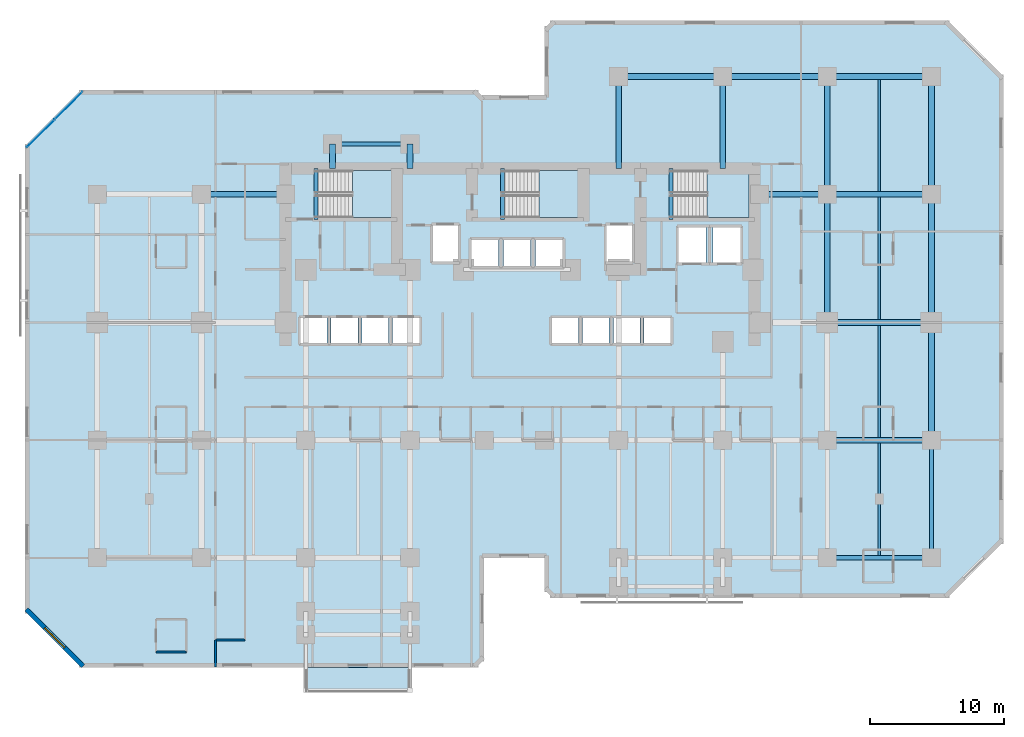
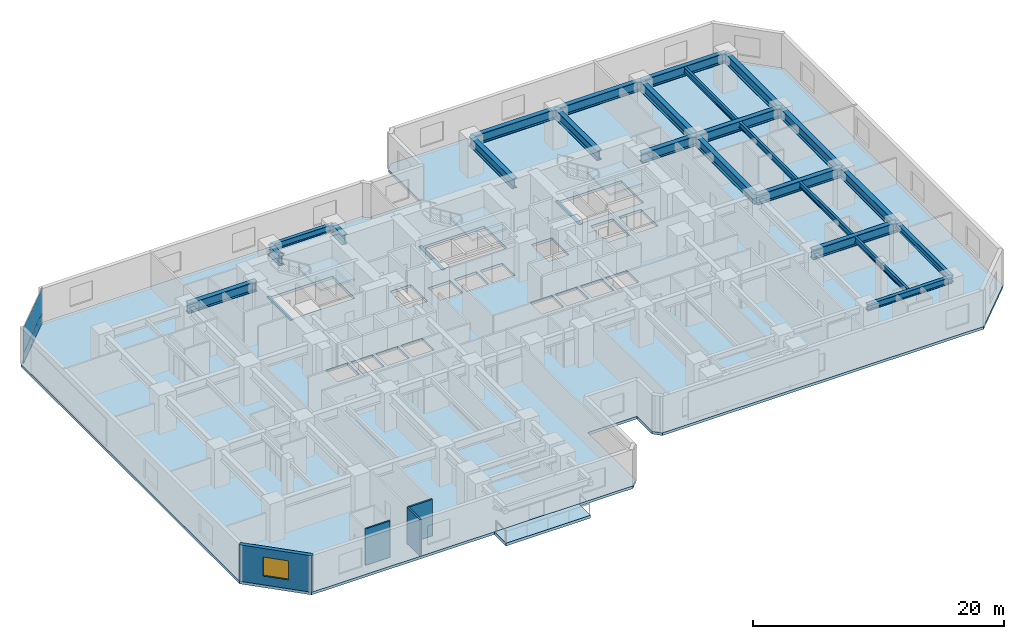
# One storey, part 4 of 12: 27 beams, 5 slabs, 4 plates, 4 walls, 1 window, 1 opening, 4 elements without a shape of their own.
"""IFC4 building model written with IfcOpenShell, lengths in metres."""

from ifc_helpers import new_model, si_unit, direction, frame, frame_2d, origin, origin_2d, place, context, subcontext, project, spatial, polyline, rectangle, i_section, outline, extrude, material, layer, layer_set, material_profile, profile_set, type_object, element, fill, aggregate, save


model = new_model("IFC4")

# Units and contexts
model_context = context("Model", 3, precision=1e-05, world=origin(), true_north=direction((0.0, 1.0)))
body_context = subcontext(model_context, "Body", "Model", "MODEL_VIEW")
ifc_project = project(units=[si_unit("LENGTHUNIT", "METRE"), si_unit("AREAUNIT", "SQUARE_METRE"), si_unit("VOLUMEUNIT", "CUBIC_METRE"), si_unit("PLANEANGLEUNIT", "RADIAN"), si_unit("MASSUNIT", "GRAM", prefix="KILO")], contexts=[model_context])

# Site, building, storey
site_placement = place(None, origin())
site = spatial("IfcSite", under=ifc_project, at=site_placement, CompositionType="ELEMENT")
building_placement = place(site_placement, origin())
building = spatial("IfcBuilding", under=site, at=building_placement, Name="Kestravale Grand Hotel", CompositionType="ELEMENT")
storey_placement = place(building_placement, frame((0.0, 0.0, 41.199951171875)))
storey = spatial("IfcBuildingStorey", under=building, at=storey_placement, Name="L09", CompositionType="ELEMENT", Elevation=41.199951171875)

# Beams
ifc_material_1 = material(Name="Steel ASTM A992 Grade 50", Category="steel")
ifc_material_profile_1 = material_profile(ifc_material_1, i_section(OverallWidth=0.2099609375, OverallDepth=0.535888671875, WebThickness=0.010986328125, FlangeThickness=0.017333984375, FilletRadius=0.017578125, at=origin_2d()))
ifc_profile_set_1 = profile_set([ifc_material_profile_1], Name="Steel ASTM A992 Grade 50")
beam_type_1 = type_object("IfcBeamType", Name="B-FLR-JST21", PredefinedType="JOIST", material=ifc_profile_set_1)
beam_1_placement = place(storey_placement, frame((66.300048828125, 11.362548828125, 3.27197265625), z_axis=(0.0, 1.0, 0.0), x_axis=(-1.0, 0.0, 0.0)))
element("IfcBeam", 1, at=beam_1_placement, inside=storey, type_object=beam_type_1, Name="L09 floor joist 10-11/C-D #1", PredefinedType="JOIST", context=body_context, shape_type="SweptSolid", body=[
    extrude(i_section(OverallWidth=0.2099609375, OverallDepth=0.535888671875, WebThickness=0.010986328125, FlangeThickness=0.017333984375, FilletRadius=0.017578125, at=origin_2d()), origin(), (0.0, 0.0, 1.0), 8.425537109375),
])
beam_2_placement = place(storey_placement, frame((66.300048828125, 20.2119140625, 3.27197265625), z_axis=(0.0, 1.0, 0.0), x_axis=(-1.0, 0.0, 0.0)))
element("IfcBeam", 2, at=beam_2_placement, inside=storey, type_object=beam_type_1, Name="L09 floor joist 10-11/D-E #1", PredefinedType="JOIST", context=body_context, shape_type="SweptSolid", body=[
    extrude(i_section(OverallWidth=0.2099609375, OverallDepth=0.535888671875, WebThickness=0.010986328125, FlangeThickness=0.017333984375, FilletRadius=0.017578125, at=origin_2d()), origin(), (0.0, 0.0, 1.0), 8.3759765625),
])
beam_3_placement = place(storey_placement, frame((66.300048828125, 29.011962890625, 3.27197265625), z_axis=(0.0, 1.0, 0.0), x_axis=(-1.0, 0.0, 0.0)))
element("IfcBeam", 3, at=beam_3_placement, inside=storey, type_object=beam_type_1, Name="L09 floor joist 10-11/E-F #1", PredefinedType="JOIST", context=body_context, shape_type="SweptSolid", body=[
    extrude(i_section(OverallWidth=0.2099609375, OverallDepth=0.535888671875, WebThickness=0.010986328125, FlangeThickness=0.017333984375, FilletRadius=0.017578125, at=origin_2d()), origin(), (0.0, 0.0, 1.0), 9.176025390625),
])
beam_4_placement = place(storey_placement, frame((66.300048828125, 38.612060546875, 3.27197265625), z_axis=(0.0, 1.0, 0.0), x_axis=(-1.0, 0.0, 0.0)))
element("IfcBeam", 4, at=beam_4_placement, inside=storey, type_object=beam_type_1, Name="L09 floor joist 10-11/F-G #1", PredefinedType="JOIST", context=body_context, shape_type="SweptSolid", body=[
    extrude(i_section(OverallWidth=0.2099609375, OverallDepth=0.535888671875, WebThickness=0.010986328125, FlangeThickness=0.017333984375, FilletRadius=0.017578125, at=origin_2d()), origin(), (0.0, 0.0, 1.0), 8.3759765625),
])
ifc_material_2 = material(Name="Concrete f'c 45 MPa", Category="concrete")
ifc_material_profile_2 = material_profile(ifc_material_2, rectangle(XDim=0.300048828125, YDim=0.39990234375, at=origin_2d()))
ifc_profile_set_2 = profile_set([ifc_material_profile_2], Name="Concrete f'c 45 MPa")
beam_type_2 = type_object("IfcBeamType", Name="B-FLR-LNT400", PredefinedType="LINTEL", material=ifc_profile_set_2)
for number, where, z_axis, x_axis, name in (
    (5, (24.159912109375, 36.52001953125, -0.199951171875), (0.0, 1.0, 0.0), (-1.0, 0.0, 0.0), "L09 ST1 flight bottom header beam"),
    (6, (38.110107421875, 36.52001953125, -0.199951171875), (0.0, 1.0, 0.0), (-1.0, 0.0, 0.0), "L09 ST2 flight bottom header beam"),
    (7, (50.7099609375, 36.52001953125, -0.199951171875), (0.0, 1.0, 0.0), (-1.0, 0.0, 0.0), "L09 ST3 flight bottom header beam"),
):
    element("IfcBeam", number, at=place(storey_placement, frame(where, z_axis=z_axis, x_axis=x_axis)), inside=storey, type_object=beam_type_2, Name=name, PredefinedType="LINTEL", context=body_context, shape_type="SweptSolid", body=[
        extrude(rectangle(XDim=0.300048828125, YDim=0.39990234375, at=origin_2d()), origin(), (0.0, 0.0, 1.0), 3.800048828125),
    ])
ifc_material_3 = material(Name="Steel ASTM A992 Grade 50", Category="steel")
ifc_material_profile_3 = material_profile(ifc_material_3, i_section(OverallWidth=0.324951171875, OverallDepth=0.612060546875, WebThickness=0.0126953125, FlangeThickness=0.01904296875, FilletRadius=0.018798828125, at=origin_2d()))
ifc_profile_set_3 = profile_set([ifc_material_profile_3], Name="Steel ASTM A992 Grade 50")
beam_type_3 = type_object("IfcBeamType", Name="B-FLR-W24A", PredefinedType="SPANDREL", material=ifc_profile_set_3)
beam_5_placement = place(storey_placement, frame((62.39990234375, 11.199951171875, 3.234130859375), z_axis=(1.0, 0.0, 0.0), x_axis=(0.0, 1.0, 0.0)))
element("IfcBeam", 8, at=beam_5_placement, inside=storey, type_object=beam_type_3, Name="L09 spandrel C:10-11", PredefinedType="SPANDREL", context=body_context, shape_type="SweptSolid", body=[
    extrude(i_section(OverallWidth=0.324951171875, OverallDepth=0.612060546875, WebThickness=0.0126953125, FlangeThickness=0.01904296875, FilletRadius=0.018798828125, at=origin_2d()), origin(), (0.0, 0.0, 1.0), 7.800048828125),
])
beam_6_placement = place(storey_placement, frame((25.39990234375, 42.14990234375, 3.234130859375), z_axis=(1.0, 0.0, 0.0), x_axis=(0.0, 1.0, 0.0)))
element("IfcBeam", 9, at=beam_6_placement, inside=storey, type_object=beam_type_3, Name="L09 perimeter tie spandrel FN:4-5", PredefinedType="SPANDREL", context=body_context, shape_type="SweptSolid", body=[
    extrude(i_section(OverallWidth=0.324951171875, OverallDepth=0.612060546875, WebThickness=0.0126953125, FlangeThickness=0.01904296875, FilletRadius=0.018798828125, at=origin_2d()), origin(), (0.0, 0.0, 1.0), 5.800048828125),
])
beam_7_placement = place(storey_placement, frame((70.199951171875, 11.199951171875, 3.234130859375), z_axis=(0.0, 1.0, 0.0), x_axis=(-1.0, 0.0, 0.0)))
element("IfcBeam", 10, at=beam_7_placement, inside=storey, type_object=beam_type_3, Name="L09 spandrel 11:C-D", PredefinedType="SPANDREL", context=body_context, shape_type="SweptSolid", body=[
    extrude(i_section(OverallWidth=0.324951171875, OverallDepth=0.612060546875, WebThickness=0.0126953125, FlangeThickness=0.01904296875, FilletRadius=0.018798828125, at=origin_2d()), origin(), (0.0, 0.0, 1.0), 8.800048828125),
])
ifc_material_4 = material(Name="Steel ASTM A992 Grade 50", Category="steel")
ifc_material_profile_4 = material_profile(ifc_material_4, i_section(OverallWidth=0.424072265625, OverallDepth=0.947021484375, WebThickness=0.02392578125, FlangeThickness=0.042724609375, FilletRadius=0.0283203125, at=origin_2d()))
ifc_profile_set_4 = profile_set([ifc_material_profile_4], Name="Steel ASTM A992 Grade 50")
beam_type_4 = type_object("IfcBeamType", Name="B-GRD-W36", PredefinedType="BEAM", material=ifc_profile_set_4)
for number, where, z_axis, x_axis, name in (
    (11, (62.39990234375, 20.0, 3.066650390625), (1.0, 0.0, 0.0), (0.0, 1.0, 0.0), "L09 girder D:10-11"),
    (12, (62.39990234375, 28.800048828125, 3.066650390625), (1.0, 0.0, 0.0), (0.0, 1.0, 0.0), "L09 girder E:10-11"),
):
    element("IfcBeam", number, at=place(storey_placement, frame(where, z_axis=z_axis, x_axis=x_axis)), inside=storey, type_object=beam_type_4, Name=name, PredefinedType="BEAM", context=body_context, shape_type="SweptSolid", body=[
        extrude(i_section(OverallWidth=0.424072265625, OverallDepth=0.947021484375, WebThickness=0.02392578125, FlangeThickness=0.042724609375, FilletRadius=0.0283203125, at=origin_2d()), origin(), (0.0, 0.0, 1.0), 7.800048828125),
    ])
beam_8_placement = place(storey_placement, frame((15.60009765625, 38.39990234375, 3.066650390625), z_axis=(1.0, 0.0, 0.0), x_axis=(0.0, 1.0, 0.0)))
element("IfcBeam", 13, at=beam_8_placement, inside=storey, type_object=beam_type_4, Name="L09 girder F:3-CW", PredefinedType="BEAM", context=body_context, shape_type="SweptSolid", body=[
    extrude(i_section(OverallWidth=0.424072265625, OverallDepth=0.947021484375, WebThickness=0.02392578125, FlangeThickness=0.042724609375, FilletRadius=0.0283203125, at=origin_2d()), origin(), (0.0, 0.0, 1.0), 6.2998046875),
])
beam_9_placement = place(storey_placement, frame((57.35009765625, 38.39990234375, 3.066650390625), z_axis=(1.0, 0.0, 0.0), x_axis=(0.0, 1.0, 0.0)))
element("IfcBeam", 14, at=beam_9_placement, inside=storey, type_object=beam_type_4, Name="L09 girder F:CE-10", PredefinedType="BEAM", context=body_context, shape_type="SweptSolid", body=[
    extrude(i_section(OverallWidth=0.424072265625, OverallDepth=0.947021484375, WebThickness=0.02392578125, FlangeThickness=0.042724609375, FilletRadius=0.0283203125, at=origin_2d()), origin(), (0.0, 0.0, 1.0), 5.0498046875),
])
for number, where, z_axis, x_axis, name in (
    (15, (62.39990234375, 38.39990234375, 3.066650390625), (1.0, 0.0, 0.0), (0.0, 1.0, 0.0), "L09 girder F:10-11"),
    (16, (46.800048828125, 47.199951171875, 3.066650390625), (1.0, 0.0, 0.0), (0.0, 1.0, 0.0), "L09 girder G:8-9"),
):
    element("IfcBeam", number, at=place(storey_placement, frame(where, z_axis=z_axis, x_axis=x_axis)), inside=storey, type_object=beam_type_4, Name=name, PredefinedType="BEAM", context=body_context, shape_type="SweptSolid", body=[
        extrude(i_section(OverallWidth=0.424072265625, OverallDepth=0.947021484375, WebThickness=0.02392578125, FlangeThickness=0.042724609375, FilletRadius=0.0283203125, at=origin_2d()), origin(), (0.0, 0.0, 1.0), 7.800048828125),
    ])
beam_10_placement = place(storey_placement, frame((54.60009765625, 47.199951171875, 3.066650390625), z_axis=(1.0, 0.0, 0.0), x_axis=(0.0, 1.0, 0.0)))
element("IfcBeam", 17, at=beam_10_placement, inside=storey, type_object=beam_type_4, Name="L09 girder G:9-10", PredefinedType="BEAM", context=body_context, shape_type="SweptSolid", body=[
    extrude(i_section(OverallWidth=0.424072265625, OverallDepth=0.947021484375, WebThickness=0.02392578125, FlangeThickness=0.042724609375, FilletRadius=0.0283203125, at=origin_2d()), origin(), (0.0, 0.0, 1.0), 7.7998046875),
])
beam_11_placement = place(storey_placement, frame((62.39990234375, 47.199951171875, 3.066650390625), z_axis=(1.0, 0.0, 0.0), x_axis=(0.0, 1.0, 0.0)))
element("IfcBeam", 18, at=beam_11_placement, inside=storey, type_object=beam_type_4, Name="L09 girder G:10-11", PredefinedType="BEAM", context=body_context, shape_type="SweptSolid", body=[
    extrude(i_section(OverallWidth=0.424072265625, OverallDepth=0.947021484375, WebThickness=0.02392578125, FlangeThickness=0.042724609375, FilletRadius=0.0283203125, at=origin_2d()), origin(), (0.0, 0.0, 1.0), 7.800048828125),
])
beam_12_placement = place(storey_placement, frame((62.39990234375, 28.800048828125, 3.066650390625), z_axis=(0.0, 1.0, 0.0), x_axis=(-1.0, 0.0, 0.0)))
element("IfcBeam", 19, at=beam_12_placement, inside=storey, type_object=beam_type_4, Name="L09 girder 10:E-F", PredefinedType="BEAM", context=body_context, shape_type="SweptSolid", body=[
    extrude(i_section(OverallWidth=0.424072265625, OverallDepth=0.947021484375, WebThickness=0.02392578125, FlangeThickness=0.042724609375, FilletRadius=0.0283203125, at=origin_2d()), origin(), (0.0, 0.0, 1.0), 9.599853515625),
])
for number, where, z_axis, x_axis, name in (
    (20, (62.39990234375, 38.39990234375, 3.066650390625), (0.0, 1.0, 0.0), (-1.0, 0.0, 0.0), "L09 girder 10:F-G"),
    (21, (70.199951171875, 20.0, 3.066650390625), (0.0, 1.0, 0.0), (-1.0, 0.0, 0.0), "L09 girder 11:D-E"),
):
    element("IfcBeam", number, at=place(storey_placement, frame(where, z_axis=z_axis, x_axis=x_axis)), inside=storey, type_object=beam_type_4, Name=name, PredefinedType="BEAM", context=body_context, shape_type="SweptSolid", body=[
        extrude(i_section(OverallWidth=0.424072265625, OverallDepth=0.947021484375, WebThickness=0.02392578125, FlangeThickness=0.042724609375, FilletRadius=0.0283203125, at=origin_2d()), origin(), (0.0, 0.0, 1.0), 8.800048828125),
    ])
beam_13_placement = place(storey_placement, frame((70.199951171875, 28.800048828125, 3.066650390625), z_axis=(0.0, 1.0, 0.0), x_axis=(-1.0, 0.0, 0.0)))
element("IfcBeam", 22, at=beam_13_placement, inside=storey, type_object=beam_type_4, Name="L09 girder 11:E-F", PredefinedType="BEAM", context=body_context, shape_type="SweptSolid", body=[
    extrude(i_section(OverallWidth=0.424072265625, OverallDepth=0.947021484375, WebThickness=0.02392578125, FlangeThickness=0.042724609375, FilletRadius=0.0283203125, at=origin_2d()), origin(), (0.0, 0.0, 1.0), 9.599853515625),
])
beam_14_placement = place(storey_placement, frame((70.199951171875, 38.39990234375, 3.066650390625), z_axis=(0.0, 1.0, 0.0), x_axis=(-1.0, 0.0, 0.0)))
element("IfcBeam", 23, at=beam_14_placement, inside=storey, type_object=beam_type_4, Name="L09 girder 11:F-G", PredefinedType="BEAM", context=body_context, shape_type="SweptSolid", body=[
    extrude(i_section(OverallWidth=0.424072265625, OverallDepth=0.947021484375, WebThickness=0.02392578125, FlangeThickness=0.042724609375, FilletRadius=0.0283203125, at=origin_2d()), origin(), (0.0, 0.0, 1.0), 8.800048828125),
])
for number, where, z_axis, x_axis, name in (
    (24, (25.39990234375, 40.320068359375, 3.066650390625), (0.0, 1.0, 0.0), (-1.0, 0.0, 0.0), "L09 north wing tie girder 4:CN-FN"),
    (25, (31.199951171875, 40.320068359375, 3.066650390625), (0.0, 1.0, 0.0), (-1.0, 0.0, 0.0), "L09 north wing tie girder 5:CN-FN"),
):
    element("IfcBeam", number, at=place(storey_placement, frame(where, z_axis=z_axis, x_axis=x_axis)), inside=storey, type_object=beam_type_4, Name=name, PredefinedType="BEAM", context=body_context, shape_type="SweptSolid", body=[
        extrude(i_section(OverallWidth=0.424072265625, OverallDepth=0.947021484375, WebThickness=0.02392578125, FlangeThickness=0.042724609375, FilletRadius=0.0283203125, at=origin_2d()), origin(), (0.0, 0.0, 1.0), 1.829833984375),
    ])
for number, where, z_axis, x_axis, name in (
    (26, (46.800048828125, 40.320068359375, 3.066650390625), (0.0, 1.0, 0.0), (-1.0, 0.0, 0.0), "L09 north wing tie girder 8:CN-G"),
    (27, (54.60009765625, 40.320068359375, 3.066650390625), (0.0, 1.0, 0.0), (-1.0, 0.0, 0.0), "L09 north wing tie girder 9:CN-G"),
):
    element("IfcBeam", number, at=place(storey_placement, frame(where, z_axis=z_axis, x_axis=x_axis)), inside=storey, type_object=beam_type_4, Name=name, PredefinedType="BEAM", context=body_context, shape_type="SweptSolid", body=[
        extrude(i_section(OverallWidth=0.424072265625, OverallDepth=0.947021484375, WebThickness=0.02392578125, FlangeThickness=0.042724609375, FilletRadius=0.0283203125, at=origin_2d()), origin(), (0.0, 0.0, 1.0), 6.8798828125),
    ])

# Curtain wall, plates
ifc_material_5 = material(Name="Thermally broken champagne-bronze aluminium and low-E glazing", Category="aluminium")
ifc_layer_1 = layer(ifc_material_5, 0.199951171875)
ifc_layer_set_1 = layer_set([ifc_layer_1], Name="CW-Z1")
curtain_wall_type = type_object("IfcCurtainWallType", Name="CW-Z1", PredefinedType="NOTDEFINED", material=ifc_layer_set_1)
curtain_wall_placement = place(storey_placement, origin())
curtain_wall = element("IfcCurtainWall", 28, at=curtain_wall_placement, inside=storey, type_object=curtain_wall_type, Name="L09 unitised curtain wall 18", PredefinedType="NOTDEFINED")
ifc_material_6 = material(Name="Insulated clear low-E double glazing IGU", Category="glass")
ifc_layer_2 = layer(ifc_material_6, 0.035888671875)
ifc_layer_set_2 = layer_set([ifc_layer_2], Name="CW-PNL-36")
plate_type = type_object("IfcPlateType", Name="CW-PNL-36", PredefinedType="CURTAIN_PANEL", material=ifc_layer_set_2)
plate_1_placement = place(storey_placement, frame((5.6640625, 45.023681640625, 0.074951171875), z_axis=(0.0, 0.0, 1.0), x_axis=(-0.707106781187, -0.707106781187, 0.0)))
plate_1 = element("IfcPlate", 29, at=plate_1_placement, type_object=plate_type, Name="CW-Z1 panel 1.1", PredefinedType="CURTAIN_PANEL", context=body_context, shape_type="SweptSolid", body=[
    extrude(rectangle(XDim=2.87744140625, YDim=0.035888671875, at=origin_2d()), origin(), (0.0, 0.0, 1.0), 0.9375),
])
plate_2_placement = place(storey_placement, frame((5.6640625, 45.023681640625, 1.087646484375), z_axis=(0.0, 0.0, 1.0), x_axis=(-0.707106781187, -0.707106781187, 0.0)))
plate_2 = element("IfcPlate", 30, at=plate_2_placement, type_object=plate_type, Name="CW-Z1 panel 1.2", PredefinedType="CURTAIN_PANEL", context=body_context, shape_type="SweptSolid", body=[
    extrude(rectangle(XDim=2.87744140625, YDim=0.035888671875, at=origin_2d()), origin(), (0.0, 0.0, 1.0), 2.37744140625),
])
plate_3_placement = place(storey_placement, frame((3.576416015625, 42.93603515625, 0.074951171875), z_axis=(0.0, 0.0, 1.0), x_axis=(-0.707106781187, -0.707106781187, 0.0)))
plate_3 = element("IfcPlate", 31, at=plate_3_placement, type_object=plate_type, Name="CW-Z1 panel 2.1", PredefinedType="CURTAIN_PANEL", context=body_context, shape_type="SweptSolid", body=[
    extrude(rectangle(XDim=2.87744140625, YDim=0.035888671875, at=origin_2d()), origin(), (0.0, 0.0, 1.0), 0.9375),
])
plate_4_placement = place(storey_placement, frame((3.576416015625, 42.93603515625, 1.087646484375), z_axis=(0.0, 0.0, 1.0), x_axis=(-0.707106781187, -0.707106781187, 0.0)))
plate_4 = element("IfcPlate", 32, at=plate_4_placement, type_object=plate_type, Name="CW-Z1 panel 2.2", PredefinedType="CURTAIN_PANEL", context=body_context, shape_type="SweptSolid", body=[
    extrude(rectangle(XDim=2.87744140625, YDim=0.035888671875, at=origin_2d()), origin(), (0.0, 0.0, 1.0), 2.37744140625),
])
aggregate(curtain_wall, [plate_1, plate_2, plate_3, plate_4])

# Slab
ifc_material_7 = material(Name="Concrete f'c 45 MPa", Category="concrete")
ifc_layer_3 = layer(ifc_material_7, 0.27001953125)
ifc_layer_set_3 = layer_set([ifc_layer_3], Name="ES-TERR-270")
slab_type_1 = type_object("IfcSlabType", Name="ES-TERR-270", PredefinedType="FLOOR", material=ifc_layer_set_3)
slab_1_placement = place(storey_placement, frame((0.0, 0.0, -0.27001953125)))
element("IfcSlab", 33, at=slab_1_placement, inside=storey, type_object=slab_type_1, Name="L09 spiralling planted garden terrace", PredefinedType="FLOOR", context=body_context, shape_type="SweptSolid", body=[
    extrude(outline(polyline([(23.39990234375, 1.14990234375), (31.199951171875, 1.14990234375), (31.199951171875, 3.0), (23.39990234375, 3.0), (23.39990234375, 1.14990234375)])), origin(), (0.0, 0.0, 1.0), 0.27001953125),
])

# Stair, slab
ifc_material_8 = material(Name="Concrete f'c 45 MPa", Category="concrete")
stair_type = type_object("IfcStairType", Name="ST-CORE-380", PredefinedType="HALF_TURN_STAIR", material=ifc_material_8)
stair_1_placement = place(storey_placement, origin())
stair_1 = element("IfcStair", 34, at=stair_1_placement, inside=storey, type_object=stair_type, Name="L09 ST-1", PredefinedType="HALF_TURN_STAIR")
ifc_material_9 = material(Name="Concrete f'c 45 MPa", Category="concrete")
ifc_layer_4 = layer(ifc_material_9, 0.199951171875)
ifc_layer_set_4 = layer_set([ifc_layer_4], Name="SLB-ST-LND200")
slab_type_2 = type_object("IfcSlabType", Name="SLB-ST-LND200", PredefinedType="LANDING", material=ifc_layer_set_4)
slab_2_placement = place(storey_placement, frame((0.0, 0.0, 1.699951171875)))
slab_2 = element("IfcSlab", 35, at=slab_2_placement, type_object=slab_type_2, Name="ST-1 landing 1", PredefinedType="LANDING", context=body_context, shape_type="SweptSolid", body=[
    extrude(outline(polyline([(26.8798828125, 36.64990234375), (30.0, 36.64990234375), (30.0, 40.159912109375), (26.8798828125, 40.159912109375), (26.8798828125, 36.64990234375)])), origin(), (0.0, 0.0, 1.0), 0.2001953125),
])
aggregate(stair_1, [slab_2])

stair_2_placement = place(storey_placement, origin())
stair_2 = element("IfcStair", 36, at=stair_2_placement, inside=storey, type_object=stair_type, Name="L09 ST-2", PredefinedType="HALF_TURN_STAIR")
slab_3_placement = place(storey_placement, frame((0.0, 0.0, 1.699951171875)))
slab_3 = element("IfcSlab", 37, at=slab_3_placement, type_object=slab_type_2, Name="ST-2 landing 1", PredefinedType="LANDING", context=body_context, shape_type="SweptSolid", body=[
    extrude(outline(polyline([(40.830078125, 36.64990234375), (43.949951171875, 36.64990234375), (43.949951171875, 40.159912109375), (40.830078125, 40.159912109375), (40.830078125, 36.64990234375)])), origin(), (0.0, 0.0, 1.0), 0.2001953125),
])
aggregate(stair_2, [slab_3])

stair_3_placement = place(storey_placement, origin())
stair_3 = element("IfcStair", 38, at=stair_3_placement, inside=storey, type_object=stair_type, Name="L09 ST-3", PredefinedType="HALF_TURN_STAIR")
slab_4_placement = place(storey_placement, frame((0.0, 0.0, 1.699951171875)))
slab_4 = element("IfcSlab", 39, at=slab_4_placement, type_object=slab_type_2, Name="ST-3 landing 1", PredefinedType="LANDING", context=body_context, shape_type="SweptSolid", body=[
    extrude(outline(polyline([(53.429931640625, 36.64990234375), (56.550048828125, 36.64990234375), (56.550048828125, 40.159912109375), (53.429931640625, 40.159912109375), (53.429931640625, 36.64990234375)])), origin(), (0.0, 0.0, 1.0), 0.2001953125),
])
aggregate(stair_3, [slab_4])

# Slab
ifc_material_10 = material(Name="Concrete f'c 45 MPa", Category="concrete")
ifc_layer_5 = layer(ifc_material_10, 0.260009765625)
ifc_layer_set_5 = layer_set([ifc_layer_5], Name="SS-FLR-260")
slab_type_3 = type_object("IfcSlabType", Name="SS-FLR-260", PredefinedType="FLOOR", material=ifc_layer_set_5)
slab_5_placement = place(storey_placement, frame((0.0, 0.0, -0.260009765625)))
element("IfcSlab", 40, at=slab_5_placement, inside=storey, type_object=slab_type_3, Name="L09 structural floor slab", PredefinedType="FLOOR", context=body_context, shape_type="SweptSolid", body=[
    extrude(outline(polyline([(6.60009765625, 3.0), (36.14990234375, 3.0), (36.75, 3.60009765625), (36.75, 11.199951171875), (41.25, 11.199951171875), (41.25, 8.800048828125), (41.85009765625, 8.199951171875), (71.39990234375, 8.199951171875), (75.60009765625, 12.39990234375), (75.60009765625, 47.199951171875), (71.39990234375, 51.39990234375), (41.85009765625, 51.39990234375), (41.25, 50.800048828125), (41.25, 45.800048828125), (36.75, 45.800048828125), (36.75, 45.60009765625), (36.14990234375, 46.199951171875), (6.60009765625, 46.199951171875), (2.39990234375, 42.0), (2.39990234375, 7.199951171875), (6.60009765625, 3.0)]), holes=[polyline([(24.080078125, 36.64990234375), (30.0, 36.64990234375), (30.0, 40.159912109375), (24.080078125, 40.159912109375), (24.080078125, 36.64990234375)]), polyline([(38.030029296875, 36.64990234375), (43.949951171875, 36.64990234375), (43.949951171875, 40.159912109375), (38.030029296875, 40.159912109375), (38.030029296875, 36.64990234375)]), polyline([(50.6298828125, 36.64990234375), (56.550048828125, 36.64990234375), (56.550048828125, 40.159912109375), (50.6298828125, 40.159912109375), (50.6298828125, 36.64990234375)]), polyline([(23.0048828125, 27.280029296875), (24.9951171875, 27.280029296875), (24.9951171875, 29.1201171875), (23.0048828125, 29.1201171875), (23.0048828125, 27.280029296875)]), polyline([(25.304931640625, 27.280029296875), (27.294921875, 27.280029296875), (27.294921875, 29.1201171875), (25.304931640625, 29.1201171875), (25.304931640625, 27.280029296875)]), polyline([(27.60498046875, 27.280029296875), (29.594970703125, 27.280029296875), (29.594970703125, 29.1201171875), (27.60498046875, 29.1201171875), (27.60498046875, 27.280029296875)]), polyline([(29.905029296875, 27.280029296875), (31.89501953125, 27.280029296875), (31.89501953125, 29.1201171875), (29.905029296875, 29.1201171875), (29.905029296875, 27.280029296875)]), polyline([(41.804931640625, 27.280029296875), (43.794921875, 27.280029296875), (43.794921875, 29.1201171875), (41.804931640625, 29.1201171875), (41.804931640625, 27.280029296875)]), polyline([(44.10498046875, 27.280029296875), (46.094970703125, 27.280029296875), (46.094970703125, 29.1201171875), (44.10498046875, 29.1201171875), (44.10498046875, 27.280029296875)]), polyline([(46.405029296875, 27.280029296875), (48.39501953125, 27.280029296875), (48.39501953125, 29.1201171875), (46.405029296875, 29.1201171875), (46.405029296875, 27.280029296875)]), polyline([(48.705078125, 27.280029296875), (50.695068359375, 27.280029296875), (50.695068359375, 29.1201171875), (48.705078125, 29.1201171875), (48.705078125, 27.280029296875)]), polyline([(35.780029296875, 33.030029296875), (37.820068359375, 33.030029296875), (37.820068359375, 34.969970703125), (35.780029296875, 34.969970703125), (35.780029296875, 33.030029296875)]), polyline([(38.179931640625, 33.030029296875), (40.219970703125, 33.030029296875), (40.219970703125, 34.969970703125), (38.179931640625, 34.969970703125), (38.179931640625, 33.030029296875)]), polyline([(40.580078125, 33.030029296875), (42.6201171875, 33.030029296875), (42.6201171875, 34.969970703125), (40.580078125, 34.969970703125), (40.580078125, 33.030029296875)]), polyline([(32.905029296875, 33.35498046875), (34.794921875, 33.35498046875), (34.794921875, 36.044921875), (32.905029296875, 36.044921875), (32.905029296875, 33.35498046875)]), polyline([(45.905029296875, 33.35498046875), (47.794921875, 33.35498046875), (47.794921875, 36.044921875), (45.905029296875, 36.044921875), (45.905029296875, 33.35498046875)]), polyline([(51.280029296875, 33.280029296875), (53.320068359375, 33.280029296875), (53.320068359375, 35.919921875), (51.280029296875, 35.919921875), (51.280029296875, 33.280029296875)]), polyline([(53.8798828125, 33.280029296875), (55.919921875, 33.280029296875), (55.919921875, 35.919921875), (53.8798828125, 35.919921875), (53.8798828125, 33.280029296875)])]), origin(), (0.0, 0.0, 1.0), 0.260009765625),
])

# Wall, opening, window
ifc_material_11 = material(Name="Precast concrete f'c 45 MPa", Category="concrete")
ifc_layer_6 = layer(ifc_material_11, 0.340087890625)
ifc_layer_set_6 = layer_set([ifc_layer_6], Name="EW-PREC-340")
wall_type_1 = type_object("IfcWallType", Name="EW-PREC-340", PredefinedType="SOLIDWALL", material=ifc_layer_set_6)
wall_1_placement = place(storey_placement, frame((2.491943359375, 7.348388671875, 0.0), z_axis=(0.0, 0.0, 1.0), x_axis=(0.707106781187, -0.707106781187, 0.0)))
wall_1 = element("IfcWall", 41, at=wall_1_placement, inside=storey, type_object=wall_type_1, Name="L09 fluted precast facade wall 20", PredefinedType="SOLIDWALL", context=body_context, shape_type="SweptSolid", body=[
    extrude(rectangle(XDim=6.019775390625, YDim=0.340087890625, at=frame_2d((3.009765625, 0.0))), origin(), (0.0, 0.0, 1.0), 3.5400390625),
])
opening_placement = place(wall_1_placement, frame((1.9599609375, 0.0, 0.85009765625)))
opening = element("IfcOpeningElement", 42, at=opening_placement, cuts=wall_1, Name="Opening W-GUEST-2100", PredefinedType="OPENING", context=body_context, shape_type="SweptSolid", body=[
    extrude(rectangle(XDim=2.10009765625, YDim=1.85009765625, at=frame_2d((1.050048828125, 0.925048828125))), frame((0.0, 0.179931640625, 0.0), z_axis=(0.0, -1.0, 0.0), x_axis=(1.0, 0.0, 0.0)), (0.0, 0.0, 1.0), 0.360107421875),
])
ifc_material_12 = material(Name="Insulated low-E double glazing in aluminium frame", Category="aluminium")
window_type = type_object("IfcWindowType", Name="W-GUEST-2100", PartitioningType="DOUBLE_PANEL_VERTICAL", PredefinedType="WINDOW", material=ifc_material_12)
window_placement = place(opening_placement, origin())
window = element("IfcWindow", 43, at=window_placement, inside=storey, type_object=window_type, Name="L09 exterior window 20.1", OverallHeight=1.85009765625, OverallWidth=2.10009765625, PartitioningType="SINGLE_PANEL", PredefinedType="WINDOW", context=body_context, shape_type="SweptSolid", body=[
    extrude(rectangle(XDim=2.10009765625, YDim=1.85009765625, at=frame_2d((1.050048828125, 0.925048828125))), frame((0.0, 0.030029296875, 0.0), z_axis=(0.0, -1.0, 0.0), x_axis=(1.0, 0.0, 0.0)), (0.0, 0.0, 1.0), 0.06005859375),
])
fill(opening, window)

# Walls
ifc_material_13 = material(Name="Moisture-resistant tile-backer plumbing chase wall", Category="other")
ifc_layer_7 = layer(ifc_material_13, 0.139892578125)
ifc_layer_set_7 = layer_set([ifc_layer_7], Name="IW-PLB-140")
wall_type_2 = type_object("IfcWallType", Name="IW-PLB-140", PredefinedType="PLUMBINGWALL", material=ifc_layer_set_7)
wall_2_placement = place(storey_placement, frame((12.199951171875, 4.14990234375, 0.0), z_axis=(0.0, 0.0, 1.0), x_axis=(1.0, 0.0, 0.0)))
element("IfcWall", 44, at=wall_2_placement, inside=storey, type_object=wall_type_2, Name="W-L09-U06-BS", PredefinedType="PLUMBINGWALL", context=body_context, shape_type="SweptSolid", body=[
    extrude(rectangle(XDim=2.25, YDim=0.139892578125, at=frame_2d((1.125, 0.0))), origin(), (0.0, 0.0, 1.0), 3.5400390625),
])
ifc_material_14 = material(Name="Double-stud STC 52 acoustic demising partition", Category="other")
ifc_layer_8 = layer(ifc_material_14, 0.14990234375)
ifc_layer_set_8 = layer_set([ifc_layer_8], Name="IW-UNIT-150")
wall_type_3 = type_object("IfcWallType", Name="IW-UNIT-150", PredefinedType="PARTITIONING", material=ifc_layer_set_8)
wall_3_placement = place(storey_placement, frame((16.639892578125, 5.050048828125, 0.0), z_axis=(0.0, 0.0, 1.0), x_axis=(1.0, 0.0, 0.0)))
element("IfcWall", 45, at=wall_3_placement, inside=storey, type_object=wall_type_3, Name="W-L09-SW-S", PredefinedType="PARTITIONING", context=body_context, shape_type="SweptSolid", body=[
    extrude(rectangle(XDim=2.22021484375, YDim=0.14990234375, at=frame_2d((1.110107421875, 0.0))), origin(), (0.0, 0.0, 1.0), 3.5400390625),
])
wall_4_placement = place(storey_placement, frame((16.639892578125, 3.02001953125, 0.0), z_axis=(0.0, 0.0, 1.0), x_axis=(0.0, 1.0, 0.0)))
element("IfcWall", 46, at=wall_4_placement, inside=storey, type_object=wall_type_3, Name="W-L09-SW-EXT", PredefinedType="PARTITIONING", context=body_context, shape_type="SweptSolid", body=[
    extrude(rectangle(XDim=2.030029296875, YDim=0.14990234375, at=frame_2d((1.01513671875, 0.0))), origin(), (0.0, 0.0, 1.0), 3.5400390625),
])

save(model, "model.ifc")
